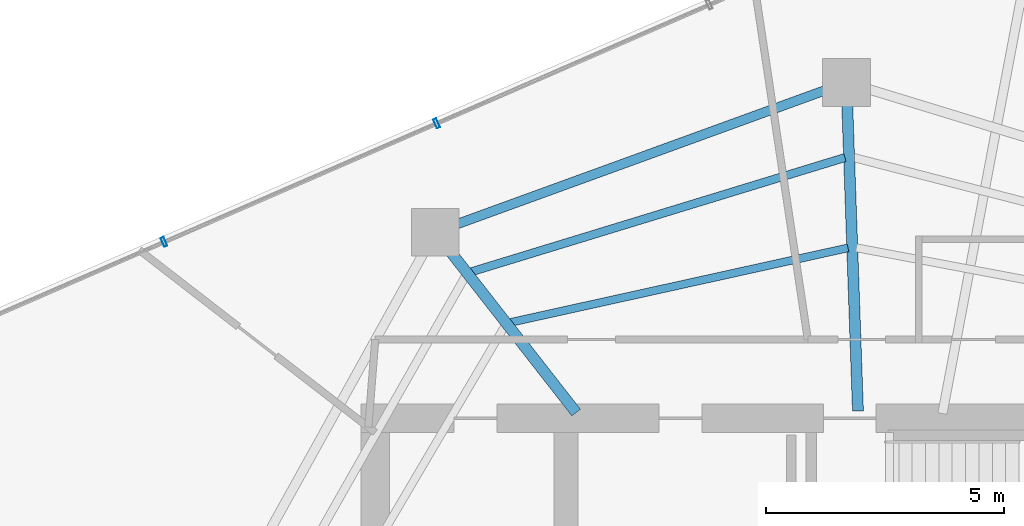
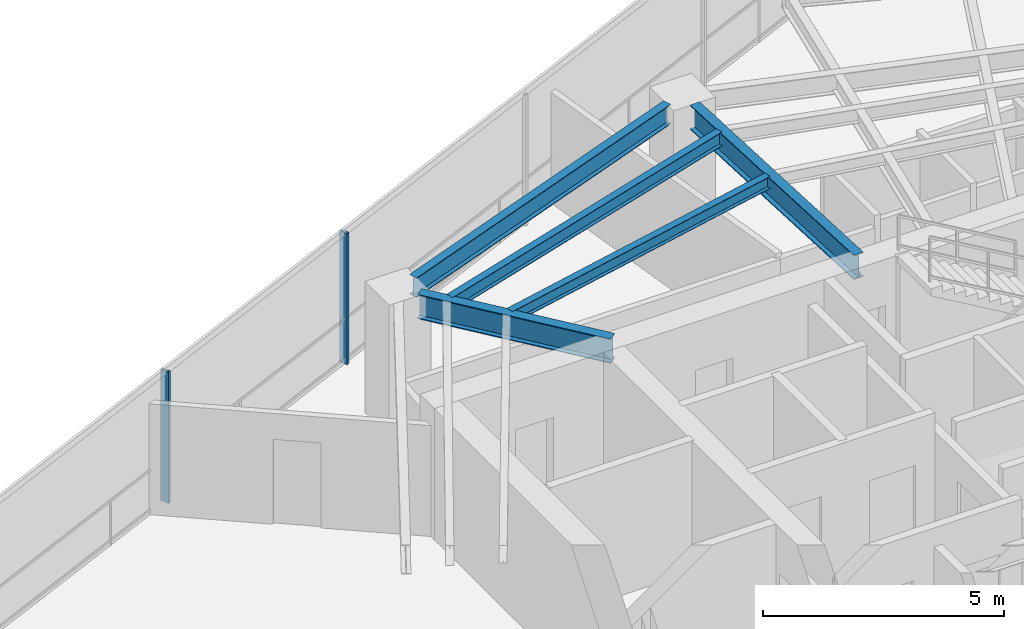
# One storey, part 13 of 22: 5 beams, 2 members, 1 element without a shape of its own.
"""IFC4 building model written with IfcOpenShell, lengths in metres."""

import ifcopenshell
import ifcopenshell.guid

model = None  # the IFC model being written
_history = None  # IfcOwnerHistory: only IFC2X3 demands one
_inside = {}  # id of a spatial element -> (the spatial element, [elements in it])
_under = {}  # id of a project, library or spatial element -> (it, [spatial elements below it])
_declared = {}  # id of a project -> (the project, [libraries it declares])
_typed = {}  # id of a type object -> (the type object, [elements of that type])
_made_of = {}  # id of a material, layer set ... -> (it, [elements and type objects made of it])


def new_model(schema):
    """Start an empty IFC model of exactly this schema.

    Asked for "IFC4X3", IfcOpenShell would pick the latest addendum, in which some entities
    have other attributes; the version numbers below select the first issue.
    IFC2X3 requires an IfcOwnerHistory on every rooted entity: one is made here for all.
    """
    global model, _history
    if schema == "IFC4X3":
        model = ifcopenshell.file(schema_version=(4, 3, 0, 0))
    else:
        model = ifcopenshell.file(schema=schema)
    _inside.clear()
    _under.clear()
    _declared.clear()
    _typed.clear()
    _made_of.clear()
    _history = None
    if model.schema == "IFC2X3":
        org = make("IfcOrganization", Name="unknown")
        user = make(
            "IfcPersonAndOrganization",
            ThePerson=make("IfcPerson", FamilyName="unknown"),
            TheOrganization=org,
        )
        app = make(
            "IfcApplication",
            ApplicationDeveloper=org,
            Version="unknown",
            ApplicationFullName="unknown",
            ApplicationIdentifier="unknown",
        )
        _history = make(
            "IfcOwnerHistory",
            OwningUser=user,
            OwningApplication=app,
            ChangeAction="ADDED",
            CreationDate=0,
        )
    return model


def make(cls, **values):
    """One entity of the class cls with the attributes given. An attribute that is None is left unset."""
    return model.create_entity(
        cls, **{name: value for name, value in values.items() if value is not None}
    )


def rooted(cls, **values):
    """An entity with a GlobalId (a new one), such as an element, a storey or a relation."""
    return make(cls, GlobalId=ifcopenshell.guid.new(), OwnerHistory=_history, **values)


def si_unit(unit_type, name, prefix=None):
    """IfcSIUnit, for example si_unit("LENGTHUNIT", "METRE", prefix="MILLI")."""
    return make("IfcSIUnit", UnitType=unit_type, Prefix=prefix, Name=name)


def assignment(units):
    """IfcUnitAssignment: the units of a project."""
    return None if units is None else make("IfcUnitAssignment", Units=units)


def point(xyz):
    """IfcCartesianPoint."""
    return None if xyz is None else make("IfcCartesianPoint", Coordinates=xyz)


def direction(xyz):
    """IfcDirection."""
    return None if xyz is None else make("IfcDirection", DirectionRatios=xyz)


def frame(location, z_axis=None, x_axis=None):
    """IfcAxis2Placement3D, a coordinate frame: its origin and axes. An axis left out is left unset."""
    return make(
        "IfcAxis2Placement3D",
        Location=point(location),
        Axis=direction(z_axis),
        RefDirection=direction(x_axis),
    )


def frame_2d(location, x_axis=None):
    """IfcAxis2Placement2D, a coordinate frame in the plane: its origin and x axis."""
    return make(
        "IfcAxis2Placement2D", Location=point(location), RefDirection=direction(x_axis)
    )


def origin():
    """The frame at (0, 0, 0) with its axes left unset."""
    return frame((0.0, 0.0, 0.0))


def origin_2d():
    """The frame at (0, 0) in the plane with its x axis left unset."""
    return frame_2d((0.0, 0.0))


def place(relative_to, where):
    """IfcLocalPlacement: puts the frame where relative to a parent placement (None: the world)."""
    return make(
        "IfcLocalPlacement", PlacementRelTo=relative_to, RelativePlacement=where
    )


def context(
    kind, dimensions, precision=None, world=None, true_north=None, identifier=None
):
    """IfcGeometricRepresentationContext, for example the 3D "Model" context."""
    return make(
        "IfcGeometricRepresentationContext",
        ContextIdentifier=identifier,
        ContextType=kind,
        CoordinateSpaceDimension=dimensions,
        Precision=precision,
        WorldCoordinateSystem=world,
        TrueNorth=true_north,
    )


def subcontext(parent, identifier, kind, view, scale=None):
    """IfcGeometricRepresentationSubContext, for example "Body" below "Model"."""
    return make(
        "IfcGeometricRepresentationSubContext",
        ContextIdentifier=identifier,
        ContextType=kind,
        ParentContext=parent,
        TargetScale=scale,
        TargetView=view,
    )


def project(units=None, contexts=None):
    """IfcProject with its units and contexts."""
    return rooted(
        "IfcProject",
        Name="project",
        RepresentationContexts=contexts,
        UnitsInContext=assignment(units),
    )


def spatial(cls, under=None, at=None, **own):
    """A site, building, storey or space (cls), placed at a placement, below another one or the project."""
    s = rooted(cls, ObjectPlacement=at, **own)
    if under is not None:
        _under.setdefault(under.id(), (under, []))[1].append(s)
    return s


def profile(cls, at=None, kind="AREA", **sizes):
    """A parametric profile (cls). Its sizes go by their IFC names, for example OverallWidth=200.0."""
    return make(cls, ProfileType=kind, Position=at, **sizes)


def hollow_rectangle(**sizes):
    """IfcRectangleHollowProfileDef."""
    return profile("IfcRectangleHollowProfileDef", **sizes)


def i_section(**sizes):
    """IfcIShapeProfileDef."""
    return profile("IfcIShapeProfileDef", **sizes)


def extrude(swept, where, along, depth):
    """IfcExtrudedAreaSolid: the profile swept, set in the frame where, extruded along a direction by depth."""
    return make(
        "IfcExtrudedAreaSolid",
        SweptArea=swept,
        Position=where,
        ExtrudedDirection=direction(along),
        Depth=depth,
    )


def shape(context_of_items, identifier, shape_type, items):
    """IfcShapeRepresentation: the items that make up one representation, for example the "Body"."""
    return make(
        "IfcShapeRepresentation",
        ContextOfItems=context_of_items,
        RepresentationIdentifier=identifier,
        RepresentationType=shape_type,
        Items=items,
    )


def material(Name=None, Category=None):
    """IfcMaterial."""
    return make("IfcMaterial", Name=Name, Category=Category)


def layer(
    of_material, thickness, ventilated=None, Name=None, Category=None, Priority=None
):
    """IfcMaterialLayer: one layer of a wall or slab, of a material (None: an air gap)."""
    return make(
        "IfcMaterialLayer",
        Material=of_material,
        LayerThickness=thickness,
        IsVentilated=ventilated,
        Name=Name,
        Category=Category,
        Priority=Priority,
    )


def layer_set(layers, Name=None):
    """IfcMaterialLayerSet."""
    return make("IfcMaterialLayerSet", MaterialLayers=layers, LayerSetName=Name)


def material_profile(
    of_material, cross_section, Name=None, Category=None, Priority=None
):
    """IfcMaterialProfile: a cross section and its material."""
    return make(
        "IfcMaterialProfile",
        Name=Name,
        Material=of_material,
        Profile=cross_section,
        Priority=Priority,
        Category=Category,
    )


def profile_set(profiles, Name=None, composite=None):
    """IfcMaterialProfileSet."""
    return make(
        "IfcMaterialProfileSet",
        Name=Name,
        MaterialProfiles=profiles,
        CompositeProfile=composite,
    )


def made_of(thing, what):
    """Note that an element or type object is made of a material, layer set ...; save() writes the relation."""
    if what is not None:
        _made_of.setdefault(what.id(), (what, []))[1].append(thing)
    return thing


def type_object(cls, material=None, **own):
    """A type object (cls), such as IfcWallType, which elements share."""
    return made_of(rooted(cls, **own), material)


def element(
    cls,
    number,
    at=None,
    inside=None,
    cuts=None,
    type_object=None,
    material=None,
    context=None,
    identifier="Body",
    shape_type=None,
    held_by="IfcProductDefinitionShape",
    body=None,
    shapes=None,
    **own,
):
    """One element of the class cls, such as IfcWall. Its Tag is "e" and its number.

    at: its placement. inside: the storey or other place that contains it. cuts: it is an
    opening in that element (IfcRelVoidsElement). A single representation is given by context,
    identifier, shape_type and body (its items); several are given by shapes. held_by: the class
    of the entity that holds the representations. save() writes the other relations.
    """
    e = rooted(cls, Tag="e%d" % number, ObjectPlacement=at, **own)
    if body is not None:
        shapes = [shape(context, identifier, shape_type, body)]
    if shapes is not None:
        e.Representation = make(held_by, Representations=shapes)
    if inside is not None:
        _inside.setdefault(inside.id(), (inside, []))[1].append(e)
    if cuts is not None:
        rooted(
            "IfcRelVoidsElement", RelatingBuildingElement=cuts, RelatedOpeningElement=e
        )
    if type_object is not None:
        _typed.setdefault(type_object.id(), (type_object, []))[1].append(e)
    return made_of(e, material)


def aggregate(whole, parts):
    """IfcRelAggregates: a whole, such as a stair, and the parts it consists of."""
    return rooted("IfcRelAggregates", RelatingObject=whole, RelatedObjects=parts)


def save(model, path):
    """Write the relations noted so far, then the file.

    IfcRelAggregates (storeys below a building ...), IfcRelContainedInSpatialStructure (elements
    in a storey), IfcRelDefinesByType, IfcRelAssociatesMaterial and IfcRelDeclares: one each for
    every whole, place, type object, material and project.
    """
    for whole, parts in _under.values():
        aggregate(whole, parts)
    for where, things in _inside.values():
        rooted(
            "IfcRelContainedInSpatialStructure",
            RelatedElements=things,
            RelatingStructure=where,
        )
    for kind, things in _typed.values():
        rooted("IfcRelDefinesByType", RelatedObjects=things, RelatingType=kind)
    for what, things in _made_of.values():
        rooted("IfcRelAssociatesMaterial", RelatedObjects=things, RelatingMaterial=what)
    for by, libraries in _declared.values():
        rooted("IfcRelDeclares", RelatingContext=by, RelatedDefinitions=libraries)
    model.write(path)


model = new_model("IFC4")

# Units and contexts
model_context = context("Model", 3, precision=1e-05, world=origin(), true_north=direction((0.0, 1.0)))
body_context = subcontext(model_context, "Body", "Model", "MODEL_VIEW")
ifc_project = project(units=[si_unit("LENGTHUNIT", "METRE"), si_unit("AREAUNIT", "SQUARE_METRE"), si_unit("VOLUMEUNIT", "CUBIC_METRE"), si_unit("PLANEANGLEUNIT", "RADIAN"), si_unit("MASSUNIT", "GRAM", prefix="KILO")], contexts=[model_context])

# Site, building, storey
site_placement = place(None, origin())
site = spatial("IfcSite", under=ifc_project, at=site_placement, CompositionType="ELEMENT")
building_placement = place(site_placement, origin())
building = spatial("IfcBuilding", under=site, at=building_placement, Name="Qarnah Convention Tower", CompositionType="ELEMENT")
storey_placement = place(building_placement, frame((0.0, 0.0, 154.5)))
storey = spatial("IfcBuildingStorey", under=building, at=storey_placement, Name="L41", CompositionType="ELEMENT", Elevation=154.5)

# Beams
ifc_material_1 = material(Name="Structural steel S355JR", Category="steel")
ifc_material_profile_1 = material_profile(ifc_material_1, i_section(OverallWidth=0.166015625, OverallDepth=0.31201171875, WebThickness=0.007080078125, FlangeThickness=0.010986328125, at=origin_2d()), Name="W310X45")
ifc_profile_set_1 = profile_set([ifc_material_profile_1], Name="Structural steel S355JR")
beam_type_1 = type_object("IfcBeamType", Name="BM-JST-W310", PredefinedType="JOIST", material=ifc_profile_set_1)
beam_1_placement = place(storey_placement, frame((36.715087890625, 37.77197265625, 3.1640625), z_axis=(-0.97646370679, -0.215681777908, 0.0), x_axis=(0.215681777908, -0.97646370679, 0.0)))
element("IfcBeam", 1, at=beam_1_placement, inside=storey, type_object=beam_type_1, Name="L41 joist BM-L41-IJST-03", PredefinedType="JOIST", context=body_context, shape_type="SweptSolid", body=[
    extrude(i_section(OverallWidth=0.166015625, OverallDepth=0.31201171875, WebThickness=0.007080078125, FlangeThickness=0.010986328125, at=origin_2d()), origin(), (0.0, 0.0, 1.0), 7.246826171875),
])
ifc_material_profile_2 = material_profile(ifc_material_1, i_section(OverallWidth=0.172119140625, OverallDepth=0.35595703125, WebThickness=0.007080078125, FlangeThickness=0.011962890625, at=origin_2d()), Name="W360X51")
ifc_profile_set_2 = profile_set([ifc_material_profile_2], Name="Structural steel S355JR")
beam_type_2 = type_object("IfcBeamType", Name="BM-JST-W360", PredefinedType="JOIST", material=ifc_profile_set_2)
beam_2_placement = place(storey_placement, frame((36.64990234375, 39.666015625, 3.14208984375), z_axis=(-0.956294191837, -0.29240625619, 0.0), x_axis=(0.29240625619, -0.956294191837, 0.0)))
element("IfcBeam", 2, at=beam_2_placement, inside=storey, type_object=beam_type_2, Name="L41 joist BM-L41-SJST-03", PredefinedType="JOIST", context=body_context, shape_type="SweptSolid", body=[
    extrude(i_section(OverallWidth=0.172119140625, OverallDepth=0.35595703125, WebThickness=0.007080078125, FlangeThickness=0.011962890625, at=origin_2d()), origin(), (0.0, 0.0, 1.0), 8.194091796875),
])
ifc_material_profile_3 = material_profile(ifc_material_1, i_section(OverallWidth=0.22998046875, OverallDepth=0.617919921875, WebThickness=0.012939453125, FlangeThickness=0.02197265625, at=origin_2d()), Name="W610X140")
ifc_profile_set_3 = profile_set([ifc_material_profile_3], Name="Structural steel S355JR")
beam_type_3 = type_object("IfcBeamType", Name="BM-RAD-W610A", PredefinedType="BEAM", material=ifc_profile_set_3)
beam_3_placement = place(storey_placement, frame((36.923095703125, 34.35009765625, 3.010986328125), z_axis=(-0.034938098977, 0.999389478252, 0.0), x_axis=(-0.999389478252, -0.034938098977, 0.0)))
element("IfcBeam", 3, at=beam_3_placement, inside=storey, type_object=beam_type_3, Name="L41 beam BM-L41-RAD-03", PredefinedType="BEAM", context=body_context, shape_type="SweptSolid", body=[
    extrude(i_section(OverallWidth=0.22998046875, OverallDepth=0.617919921875, WebThickness=0.012939453125, FlangeThickness=0.02197265625, at=origin_2d()), origin(), (0.0, 0.0, 1.0), 6.414794921875),
])
beam_4_placement = place(storey_placement, frame((31.013916015625, 34.318115234375, 3.010986328125), z_axis=(-0.615636368947, 0.788030368215, 0.0), x_axis=(-0.788030368215, -0.615636368947, 0.0)))
element("IfcBeam", 4, at=beam_4_placement, inside=storey, type_object=beam_type_3, Name="L41 beam BM-L41-RAD-04", PredefinedType="BEAM", context=body_context, shape_type="SweptSolid", body=[
    extrude(i_section(OverallWidth=0.22998046875, OverallDepth=0.617919921875, WebThickness=0.012939453125, FlangeThickness=0.02197265625, at=origin_2d()), origin(), (0.0, 0.0, 1.0), 4.322265625),
])
ifc_material_profile_4 = material_profile(ifc_material_1, i_section(OverallWidth=0.199951171875, OverallDepth=0.5, WebThickness=0.010009765625, FlangeThickness=0.01611328125, at=origin_2d()), Name="IPE500")
ifc_profile_set_4 = profile_set([ifc_material_profile_4], Name="Structural steel S355JR")
beam_type_4 = type_object("IfcBeamType", Name="BM-SPN-IPE500", PredefinedType="SPANDREL", material=ifc_profile_set_4)
beam_5_placement = place(storey_placement, frame((36.221923828125, 41.072998046875, 3.070068359375), z_axis=(-0.939745596534, -0.341874558567, 0.0), x_axis=(0.341874558567, -0.939745596534, 0.0)))
element("IfcBeam", 5, at=beam_5_placement, inside=storey, type_object=beam_type_4, Name="L41 spandrel BM-L41-SPN-03", PredefinedType="SPANDREL", context=body_context, shape_type="SweptSolid", body=[
    extrude(i_section(OverallWidth=0.199951171875, OverallDepth=0.5, WebThickness=0.010009765625, FlangeThickness=0.01611328125, at=origin_2d()), origin(), (0.0, 0.0, 1.0), 8.19873046875),
])

# Curtain wall, members
ifc_material_2 = material(Name="Tempered Low-E dark glass", Category="glass")
ifc_layer = layer(ifc_material_2, 0.172119140625)
ifc_layer_set = layer_set([ifc_layer], Name="Tempered Low-E dark glass")
curtain_wall_type = type_object("IfcCurtainWallType", Name="CWS-03", PredefinedType="NOTDEFINED", material=ifc_layer_set)
curtain_wall_placement = place(storey_placement, origin())
curtain_wall = element("IfcCurtainWall", 6, at=curtain_wall_placement, inside=storey, type_object=curtain_wall_type, Name="L41 unitised curtain wall CW-L41-F1", PredefinedType="NOTDEFINED")
ifc_material_3 = material(Name="Black anodised aluminium", Category="aluminium")
ifc_material_profile_5 = material_profile(ifc_material_3, hollow_rectangle(XDim=0.070068359375, YDim=0.199951171875, WallThickness=0.0048828125, at=origin_2d()), Name="MUL-70X200")
ifc_profile_set_5 = profile_set([ifc_material_profile_5], Name="Black anodised aluminium")
member_type = type_object("IfcMemberType", Name="MUL-T3", PredefinedType="MULLION", material=ifc_profile_set_5)
member_1_placement = place(storey_placement, frame((22.3701171875, 37.896240234375, 0.0), z_axis=(0.0, 0.0, 1.0), x_axis=(0.916925676456, 0.399058020663, 0.0)))
member_1 = element("IfcMember", 7, at=member_1_placement, type_object=member_type, Name="CW-L41-F1 mullion 2", PredefinedType="MULLION", context=body_context, shape_type="SweptSolid", body=[
    extrude(hollow_rectangle(XDim=0.070068359375, YDim=0.199951171875, WallThickness=0.0048828125, at=origin_2d()), origin(), (0.0, 0.0, 1.0), 3.320068359375),
])
member_2_placement = place(storey_placement, frame((28.08740234375, 40.384521484375, 0.0), z_axis=(0.0, 0.0, 1.0), x_axis=(0.916925676456, 0.399058020663, 0.0)))
member_2 = element("IfcMember", 8, at=member_2_placement, type_object=member_type, Name="CW-L41-F1 mullion 3", PredefinedType="MULLION", context=body_context, shape_type="SweptSolid", body=[
    extrude(hollow_rectangle(XDim=0.070068359375, YDim=0.199951171875, WallThickness=0.0048828125, at=origin_2d()), origin(), (0.0, 0.0, 1.0), 3.320068359375),
])
aggregate(curtain_wall, [member_1, member_2])

save(model, "model.ifc")
